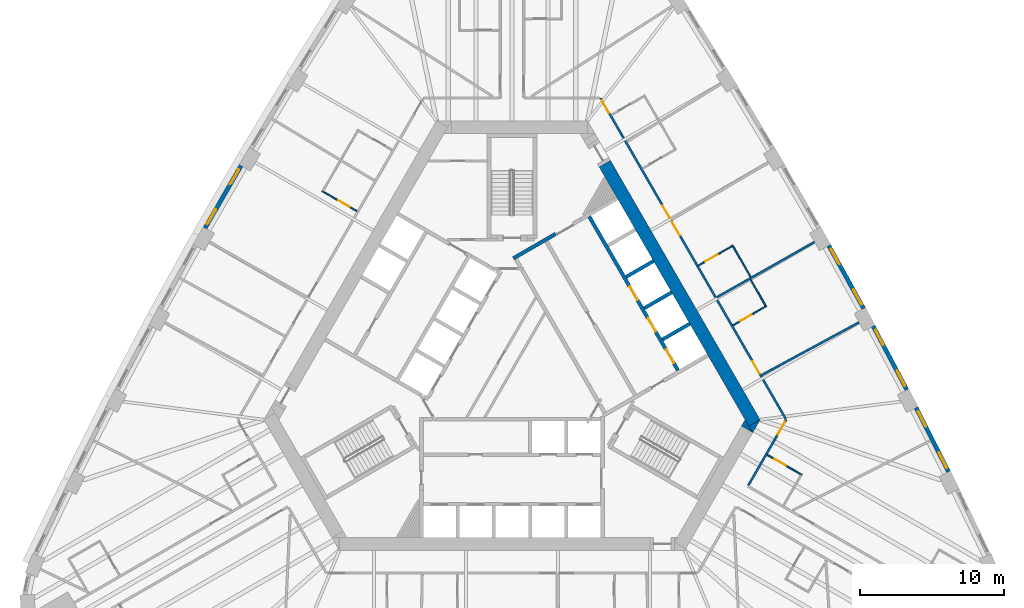
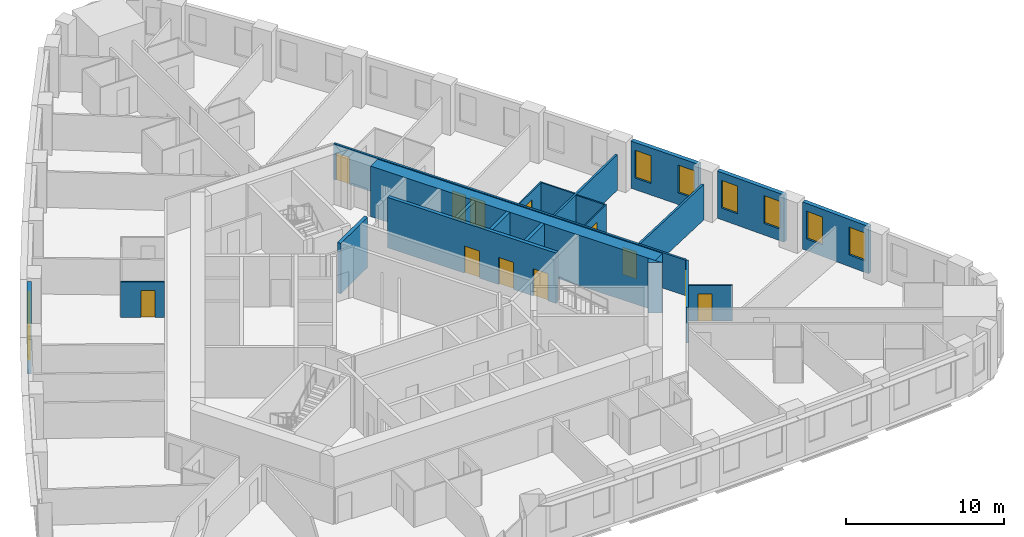
# One storey, part 8 of 12: 22 walls, 12 doors, 8 windows, 20 openings.
"""IFC4 building model written with IfcOpenShell, lengths in metres."""

from ifc_helpers import new_model, si_unit, direction, frame, frame_2d, origin, place, context, subcontext, project, spatial, polyline, rectangle, outline, extrude, material, layer, layer_set, type_object, element, fill, save


model = new_model("IFC4")

# Units and contexts
model_context = context("Model", 3, precision=1e-05, world=origin(), true_north=direction((0.0, 1.0)))
body_context = subcontext(model_context, "Body", "Model", "MODEL_VIEW")
ifc_project = project(units=[si_unit("LENGTHUNIT", "METRE"), si_unit("AREAUNIT", "SQUARE_METRE"), si_unit("VOLUMEUNIT", "CUBIC_METRE"), si_unit("PLANEANGLEUNIT", "RADIAN"), si_unit("MASSUNIT", "GRAM", prefix="KILO")], contexts=[model_context])

# Site, building, storey
site_placement = place(None, origin())
site = spatial("IfcSite", under=ifc_project, at=site_placement, CompositionType="ELEMENT")
building_placement = place(site_placement, origin())
building = spatial("IfcBuilding", under=site, at=building_placement, Name="Mestral Congress Tower", CompositionType="ELEMENT")
storey_placement = place(building_placement, frame((0.0, 0.0, 70.5)))
storey = spatial("IfcBuildingStorey", under=building, at=storey_placement, Name="L16", CompositionType="ELEMENT", Elevation=70.5)

# Walls
ifc_material_1 = material(Name="Concrete C60/75", Category="concrete")
ifc_layer_1 = layer(ifc_material_1, 0.89990234375)
ifc_layer_set_1 = layer_set([ifc_layer_1], Name="Concrete C60/75")
wall_type_1 = type_object("IfcWallType", Name="Core wall RC 900", PredefinedType="SOLIDWALL", material=ifc_layer_set_1)
wall_1_placement = place(storey_placement, frame((6.4609375, 13.9091796875, 0.0), z_axis=(0.0, 0.0, 1.0), x_axis=(0.500005804227, -0.866022052686, 0.0)))
element("IfcWall", 1, at=wall_1_placement, inside=storey, type_object=wall_type_1, Name="L16 core wall", PredefinedType="SOLIDWALL", context=body_context, shape_type="SweptSolid", body=[
    extrude(rectangle(XDim=20.833740234375, YDim=0.89990234375, at=frame_2d((10.4169921875, 0.0))), origin(), (0.0, 0.0, 1.0), 3.89990234375),
])
placement = place(storey_placement, origin())
element("IfcWall", 2, at=placement, inside=storey, type_object=wall_type_1, Name="L16 core wall", PredefinedType="SOLIDWALL", context=body_context, shape_type="SweptSolid", body=[
    extrude(outline(polyline([(16.7431640625, -4.800048828125), (16.4892578125, -4.360107421875), (17.251220703125, -3.920166015625), (16.7431640625, -4.800048828125)])), origin(), (0.0, 0.0, 1.0), 3.89990234375),
])
element("IfcWall", 3, at=placement, inside=storey, type_object=wall_type_1, Name="L16 core wall", PredefinedType="SOLIDWALL", context=body_context, shape_type="SweptSolid", body=[
    extrude(outline(polyline([(16.223388671875, -3.900146484375), (16.731689453125, -4.780029296875), (15.969482421875, -4.340087890625), (16.223388671875, -3.900146484375)])), origin(), (0.0, 0.0, 1.0), 3.89990234375),
])

# Wall, openings, windows
ifc_material_2 = material(Name="Precast concrete C40/50 with limestone facing", Category="masonry")
ifc_layer_2 = layer(ifc_material_2, 0.2900390625)
ifc_layer_set_2 = layer_set([ifc_layer_2], Name="Precast concrete C40/50 with limestone facing")
wall_type_2 = type_object("IfcWallType", Name="Facade stone wall 290", PredefinedType="SOLIDWALL", material=ifc_layer_set_2)
wall_4_placement = place(storey_placement, frame((30.376953125, -7.5205078125, 0.0), z_axis=(0.0, 0.0, 1.0), x_axis=(-0.451233929645, 0.892405704115, 0.0)))
wall_4 = element("IfcWall", 4, at=wall_4_placement, inside=storey, type_object=wall_type_2, Name="Facade wall F1-01", PredefinedType="SOLIDWALL", context=body_context, shape_type="SweptSolid", body=[
    extrude(rectangle(XDim=4.998291015625, YDim=0.2900390625, at=frame_2d((2.4990234375, 0.0))), origin(), (0.0, 0.0, 1.0), 3.64990234375),
])
opening_1_placement = place(wall_4_placement, frame((0.297119140625, 0.0, 0.89990234375)))
opening_1 = element("IfcOpeningElement", 5, at=opening_1_placement, cuts=wall_4, Name="Opening W1", PredefinedType="OPENING", context=body_context, shape_type="SweptSolid", body=[
    extrude(rectangle(XDim=1.199951171875, YDim=2.14990234375, at=frame_2d((0.60009765625, 1.074951171875))), frame((0.0, 0.155029296875, 0.0), z_axis=(0.0, -1.0, 0.0), x_axis=(1.0, 0.0, 0.0)), (0.0, 0.0, 1.0), 0.31005859375),
])
opening_2_placement = place(wall_4_placement, frame((3.501220703125, 0.0, 0.89990234375)))
opening_2 = element("IfcOpeningElement", 6, at=opening_2_placement, cuts=wall_4, Name="Opening W1", PredefinedType="OPENING", context=body_context, shape_type="SweptSolid", body=[
    extrude(rectangle(XDim=1.199951171875, YDim=2.14990234375, at=frame_2d((0.60009765625, 1.074951171875))), frame((0.0, 0.155029296875, 0.0), z_axis=(0.0, -1.0, 0.0), x_axis=(1.0, 0.0, 0.0)), (0.0, 0.0, 1.0), 0.31005859375),
])
ifc_material_3 = material(Name="Clear low-emissivity double glazing", Category="glass")
window_type = type_object("IfcWindowType", Name="Facade punched window 1200 x 2150 sill 900", PartitioningType="DOUBLE_PANEL_VERTICAL", PredefinedType="WINDOW", material=ifc_material_3)
window_1_placement = place(opening_1_placement, origin())
window_1 = element("IfcWindow", 7, at=window_1_placement, inside=storey, type_object=window_type, Name="Window F1-01a", OverallHeight=2.14990234375, OverallWidth=1.199951171875, PartitioningType="DOUBLE_PANEL_VERTICAL", PredefinedType="WINDOW", context=body_context, shape_type="SweptSolid", body=[
    extrude(rectangle(XDim=1.199951171875, YDim=2.14990234375, at=frame_2d((0.60009765625, 1.074951171875))), frame((0.0, 0.01513671875, 0.0), z_axis=(0.0, -1.0, 0.0), x_axis=(1.0, 0.0, 0.0)), (0.0, 0.0, 1.0), 0.06005859375),
])
fill(opening_1, window_1)
window_2_placement = place(opening_2_placement, origin())
window_2 = element("IfcWindow", 8, at=window_2_placement, inside=storey, type_object=window_type, Name="Window F1-01b", OverallHeight=2.14990234375, OverallWidth=1.199951171875, PartitioningType="DOUBLE_PANEL_VERTICAL", PredefinedType="WINDOW", context=body_context, shape_type="SweptSolid", body=[
    extrude(rectangle(XDim=1.199951171875, YDim=2.14990234375, at=frame_2d((0.60009765625, 1.074951171875))), frame((0.0, 0.01513671875, 0.0), z_axis=(0.0, -1.0, 0.0), x_axis=(1.0, 0.0, 0.0)), (0.0, 0.0, 1.0), 0.06005859375),
])
fill(opening_2, window_2)

wall_5_placement = place(storey_placement, frame((27.47509765625, -1.810302734375, 0.0), z_axis=(0.0, 0.0, 1.0), x_axis=(-0.467629620899, 0.883924509026, 0.0)))
wall_5 = element("IfcWall", 9, at=wall_5_placement, inside=storey, type_object=wall_type_2, Name="Facade wall F1-02", PredefinedType="SOLIDWALL", context=body_context, shape_type="SweptSolid", body=[
    extrude(rectangle(XDim=4.998291015625, YDim=0.2900390625, at=frame_2d((2.4990234375, 0.0))), origin(), (0.0, 0.0, 1.0), 3.64990234375),
])
opening_3_placement = place(wall_5_placement, frame((0.297119140625, 0.0, 0.89990234375)))
opening_3 = element("IfcOpeningElement", 10, at=opening_3_placement, cuts=wall_5, Name="Opening W1", PredefinedType="OPENING", context=body_context, shape_type="SweptSolid", body=[
    extrude(rectangle(XDim=1.199951171875, YDim=2.14990234375, at=frame_2d((0.60009765625, 1.074951171875))), frame((0.0, 0.155029296875, 0.0), z_axis=(0.0, -1.0, 0.0), x_axis=(1.0, 0.0, 0.0)), (0.0, 0.0, 1.0), 0.31005859375),
])
opening_4_placement = place(wall_5_placement, frame((3.501220703125, 0.0, 0.89990234375)))
opening_4 = element("IfcOpeningElement", 11, at=opening_4_placement, cuts=wall_5, Name="Opening W1", PredefinedType="OPENING", context=body_context, shape_type="SweptSolid", body=[
    extrude(rectangle(XDim=1.199951171875, YDim=2.14990234375, at=frame_2d((0.60009765625, 1.074951171875))), frame((0.0, 0.155029296875, 0.0), z_axis=(0.0, -1.0, 0.0), x_axis=(1.0, 0.0, 0.0)), (0.0, 0.0, 1.0), 0.31005859375),
])
window_3_placement = place(opening_3_placement, origin())
window_3 = element("IfcWindow", 12, at=window_3_placement, inside=storey, type_object=window_type, Name="Window F1-02a", OverallHeight=2.14990234375, OverallWidth=1.199951171875, PartitioningType="DOUBLE_PANEL_VERTICAL", PredefinedType="WINDOW", context=body_context, shape_type="SweptSolid", body=[
    extrude(rectangle(XDim=1.199951171875, YDim=2.14990234375, at=frame_2d((0.60009765625, 1.074951171875))), frame((0.0, 0.01513671875, 0.0), z_axis=(0.0, -1.0, 0.0), x_axis=(1.0, 0.0, 0.0)), (0.0, 0.0, 1.0), 0.06005859375),
])
fill(opening_3, window_3)
window_4_placement = place(opening_4_placement, origin())
window_4 = element("IfcWindow", 13, at=window_4_placement, inside=storey, type_object=window_type, Name="Window F1-02b", OverallHeight=2.14990234375, OverallWidth=1.199951171875, PartitioningType="DOUBLE_PANEL_VERTICAL", PredefinedType="WINDOW", context=body_context, shape_type="SweptSolid", body=[
    extrude(rectangle(XDim=1.199951171875, YDim=2.14990234375, at=frame_2d((0.60009765625, 1.074951171875))), frame((0.0, 0.01513671875, 0.0), z_axis=(0.0, -1.0, 0.0), x_axis=(1.0, 0.0, 0.0)), (0.0, 0.0, 1.0), 0.06005859375),
])
fill(opening_4, window_4)

wall_6_placement = place(storey_placement, frame((24.46826171875, 3.845703125, 0.0), z_axis=(0.0, 0.0, 1.0), x_axis=(-0.483912572871, 0.875116347589, 0.0)))
wall_6 = element("IfcWall", 14, at=wall_6_placement, inside=storey, type_object=wall_type_2, Name="Facade wall F1-03", PredefinedType="SOLIDWALL", context=body_context, shape_type="SweptSolid", body=[
    extrude(rectangle(XDim=4.998291015625, YDim=0.2900390625, at=frame_2d((2.4990234375, 0.0))), origin(), (0.0, 0.0, 1.0), 3.64990234375),
])
opening_5_placement = place(wall_6_placement, frame((0.297119140625, 0.0, 0.89990234375)))
opening_5 = element("IfcOpeningElement", 15, at=opening_5_placement, cuts=wall_6, Name="Opening W1", PredefinedType="OPENING", context=body_context, shape_type="SweptSolid", body=[
    extrude(rectangle(XDim=1.199951171875, YDim=2.14990234375, at=frame_2d((0.60009765625, 1.074951171875))), frame((0.0, 0.155029296875, 0.0), z_axis=(0.0, -1.0, 0.0), x_axis=(1.0, 0.0, 0.0)), (0.0, 0.0, 1.0), 0.31005859375),
])
opening_6_placement = place(wall_6_placement, frame((3.501220703125, 0.0, 0.89990234375)))
opening_6 = element("IfcOpeningElement", 16, at=opening_6_placement, cuts=wall_6, Name="Opening W1", PredefinedType="OPENING", context=body_context, shape_type="SweptSolid", body=[
    extrude(rectangle(XDim=1.199951171875, YDim=2.14990234375, at=frame_2d((0.60009765625, 1.074951171875))), frame((0.0, 0.155029296875, 0.0), z_axis=(0.0, -1.0, 0.0), x_axis=(1.0, 0.0, 0.0)), (0.0, 0.0, 1.0), 0.31005859375),
])
window_5_placement = place(opening_5_placement, origin())
window_5 = element("IfcWindow", 17, at=window_5_placement, inside=storey, type_object=window_type, Name="Window F1-03a", OverallHeight=2.14990234375, OverallWidth=1.199951171875, PartitioningType="DOUBLE_PANEL_VERTICAL", PredefinedType="WINDOW", context=body_context, shape_type="SweptSolid", body=[
    extrude(rectangle(XDim=1.199951171875, YDim=2.14990234375, at=frame_2d((0.60009765625, 1.074951171875))), frame((0.0, 0.01513671875, 0.0), z_axis=(0.0, -1.0, 0.0), x_axis=(1.0, 0.0, 0.0)), (0.0, 0.0, 1.0), 0.06005859375),
])
fill(opening_5, window_5)
window_6_placement = place(opening_6_placement, origin())
window_6 = element("IfcWindow", 18, at=window_6_placement, inside=storey, type_object=window_type, Name="Window F1-03b", OverallHeight=2.14990234375, OverallWidth=1.199951171875, PartitioningType="DOUBLE_PANEL_VERTICAL", PredefinedType="WINDOW", context=body_context, shape_type="SweptSolid", body=[
    extrude(rectangle(XDim=1.199951171875, YDim=2.14990234375, at=frame_2d((0.60009765625, 1.074951171875))), frame((0.0, 0.01513671875, 0.0), z_axis=(0.0, -1.0, 0.0), x_axis=(1.0, 0.0, 0.0)), (0.0, 0.0, 1.0), 0.06005859375),
])
fill(opening_6, window_6)

wall_7_placement = place(storey_placement, frame((-18.85791015625, 13.7734375, 0.0), z_axis=(0.0, 0.0, 1.0), x_axis=(-0.50002123722, -0.866013142123, 0.0)))
wall_7 = element("IfcWall", 19, at=wall_7_placement, inside=storey, type_object=wall_type_2, Name="Facade wall F2-04", PredefinedType="SOLIDWALL", context=body_context, shape_type="SweptSolid", body=[
    extrude(rectangle(XDim=4.998291015625, YDim=0.2900390625, at=frame_2d((2.4990234375, 0.0))), origin(), (0.0, 0.0, 1.0), 3.64990234375),
])
opening_7_placement = place(wall_7_placement, frame((0.297119140625, 0.0, 0.89990234375)))
opening_7 = element("IfcOpeningElement", 20, at=opening_7_placement, cuts=wall_7, Name="Opening W1", PredefinedType="OPENING", context=body_context, shape_type="SweptSolid", body=[
    extrude(rectangle(XDim=1.199951171875, YDim=2.14990234375, at=frame_2d((0.60009765625, 1.074951171875))), frame((0.0, 0.155029296875, 0.0), z_axis=(0.0, -1.0, 0.0), x_axis=(1.0, 0.0, 0.0)), (0.0, 0.0, 1.0), 0.31005859375),
])
opening_8_placement = place(wall_7_placement, frame((3.501220703125, 0.0, 0.89990234375)))
opening_8 = element("IfcOpeningElement", 21, at=opening_8_placement, cuts=wall_7, Name="Opening W1", PredefinedType="OPENING", context=body_context, shape_type="SweptSolid", body=[
    extrude(rectangle(XDim=1.199951171875, YDim=2.14990234375, at=frame_2d((0.60009765625, 1.074951171875))), frame((0.0, 0.155029296875, 0.0), z_axis=(0.0, -1.0, 0.0), x_axis=(1.0, 0.0, 0.0)), (0.0, 0.0, 1.0), 0.31005859375),
])
window_7_placement = place(opening_7_placement, origin())
window_7 = element("IfcWindow", 22, at=window_7_placement, inside=storey, type_object=window_type, Name="Window F2-04a", OverallHeight=2.14990234375, OverallWidth=1.199951171875, PartitioningType="DOUBLE_PANEL_VERTICAL", PredefinedType="WINDOW", context=body_context, shape_type="SweptSolid", body=[
    extrude(rectangle(XDim=1.199951171875, YDim=2.14990234375, at=frame_2d((0.60009765625, 1.074951171875))), frame((0.0, 0.01513671875, 0.0), z_axis=(0.0, -1.0, 0.0), x_axis=(1.0, 0.0, 0.0)), (0.0, 0.0, 1.0), 0.06005859375),
])
fill(opening_7, window_7)
window_8_placement = place(opening_8_placement, origin())
window_8 = element("IfcWindow", 23, at=window_8_placement, inside=storey, type_object=window_type, Name="Window F2-04b", OverallHeight=2.14990234375, OverallWidth=1.199951171875, PartitioningType="DOUBLE_PANEL_VERTICAL", PredefinedType="WINDOW", context=body_context, shape_type="SweptSolid", body=[
    extrude(rectangle(XDim=1.199951171875, YDim=2.14990234375, at=frame_2d((0.60009765625, 1.074951171875))), frame((0.0, 0.01513671875, 0.0), z_axis=(0.0, -1.0, 0.0), x_axis=(1.0, 0.0, 0.0)), (0.0, 0.0, 1.0), 0.06005859375),
])
fill(opening_8, window_8)

# Wall, opening, door
ifc_material_4 = material(Name="Gypsum board partition on metal studs with mineral wool", Category="composite")
ifc_layer_3 = layer(ifc_material_4, 0.10009765625)
ifc_layer_set_3 = layer_set([ifc_layer_3], Name="Gypsum board partition on metal studs with mineral wool")
wall_type_3 = type_object("IfcWallType", Name="Hotel partition wall 100", PredefinedType="PARTITIONING", material=ifc_layer_set_3)
wall_8_placement = place(storey_placement, frame((20.18212890625, -7.743408203125, 0.0), z_axis=(0.0, 0.0, 1.0), x_axis=(-0.866034573852, 0.49998411664, 0.0)))
wall_8 = element("IfcWall", 24, at=wall_8_placement, inside=storey, type_object=wall_type_3, Name="L16-h-pod09a", PredefinedType="PARTITIONING", context=body_context, shape_type="SweptSolid", body=[
    extrude(rectangle(XDim=2.7998046875, YDim=0.10009765625, at=frame_2d((1.39990234375, 0.0))), origin(), (0.0, 0.0, 1.0), 2.75),
])
opening_9_placement = place(wall_8_placement, frame((1.300048828125, 0.0, 0.0)))
opening_9 = element("IfcOpeningElement", 25, at=opening_9_placement, cuts=wall_8, Name="Opening H04-018", PredefinedType="OPENING", context=body_context, shape_type="SweptSolid", body=[
    extrude(rectangle(XDim=0.89990234375, YDim=2.10009765625, at=frame_2d((0.449951171875, 1.050048828125))), frame((0.0, 0.06005859375, 0.0), z_axis=(0.0, -1.0, 0.0), x_axis=(1.0, 0.0, 0.0)), (0.0, 0.0, 1.0), 0.1201171875),
])
ifc_material_5 = material(Name="Timber veneer door leaf in timber frame", Category="wood")
door_type_1 = type_object("IfcDoorType", Name="Bathroom door 900", OperationType="SINGLE_SWING_LEFT", PredefinedType="DOOR", material=ifc_material_5)
door_1_placement = place(opening_9_placement, origin())
door_1 = element("IfcDoor", 26, at=door_1_placement, inside=storey, type_object=door_type_1, Name="L16-h-d018", OperationType="SINGLE_SWING_RIGHT", OverallHeight=2.10009765625, OverallWidth=0.89990234375, PredefinedType="DOOR", context=body_context, shape_type="SweptSolid", body=[
    extrude(rectangle(XDim=0.89990234375, YDim=2.10009765625, at=frame_2d((0.449951171875, 1.050048828125))), frame((0.0, 0.02490234375, 0.0), z_axis=(0.0, -1.0, 0.0), x_axis=(1.0, 0.0, 0.0)), (0.0, 0.0, 1.0), 0.050048828125),
])
fill(opening_9, door_1)

wall_9_placement = place(storey_placement, frame((15.376220703125, 2.66796875, 0.0), z_axis=(0.0, 0.0, 1.0), x_axis=(0.866036505625, 0.499980770555, 0.0)))
wall_9 = element("IfcWall", 27, at=wall_9_placement, inside=storey, type_object=wall_type_3, Name="L16-h-pod10a", PredefinedType="PARTITIONING", context=body_context, shape_type="SweptSolid", body=[
    extrude(rectangle(XDim=2.69970703125, YDim=0.10009765625, at=frame_2d((1.349853515625, 0.0))), origin(), (0.0, 0.0, 1.0), 2.75),
])
opening_10_placement = place(wall_9_placement, frame((0.60009765625, 0.0, 0.0)))
opening_10 = element("IfcOpeningElement", 28, at=opening_10_placement, cuts=wall_9, Name="Opening H04-020", PredefinedType="OPENING", context=body_context, shape_type="SweptSolid", body=[
    extrude(rectangle(XDim=0.89990234375, YDim=2.10009765625, at=frame_2d((0.449951171875, 1.050048828125))), frame((0.0, 0.06005859375, 0.0), z_axis=(0.0, -1.0, 0.0), x_axis=(1.0, 0.0, 0.0)), (0.0, 0.0, 1.0), 0.1201171875),
])
door_2_placement = place(opening_10_placement, origin())
door_2 = element("IfcDoor", 29, at=door_2_placement, inside=storey, type_object=door_type_1, Name="L16-h-d020", OperationType="SINGLE_SWING_LEFT", OverallHeight=2.10009765625, OverallWidth=0.89990234375, PredefinedType="DOOR", context=body_context, shape_type="SweptSolid", body=[
    extrude(rectangle(XDim=0.89990234375, YDim=2.10009765625, at=frame_2d((0.449951171875, 1.050048828125))), frame((0.0, 0.02490234375, 0.0), z_axis=(0.0, -1.0, 0.0), x_axis=(1.0, 0.0, 0.0)), (0.0, 0.0, 1.0), 0.050048828125),
])
fill(opening_10, door_2)

# Wall
wall_10_placement = place(storey_placement, frame((17.64599609375, 4.0361328125, 0.0), z_axis=(0.0, 0.0, 1.0), x_axis=(-0.500027713859, 0.866009402589, 0.0)))
element("IfcWall", 30, at=wall_10_placement, inside=storey, type_object=wall_type_3, Name="L16-h-pod10b", PredefinedType="PARTITIONING", context=body_context, shape_type="SweptSolid", body=[
    extrude(rectangle(XDim=2.10009765625, YDim=0.10009765625, at=frame_2d((1.050048828125, 0.0))), origin(), (0.0, 0.0, 1.0), 2.75),
])

# Wall, opening, door
wall_11_placement = place(storey_placement, frame((15.3974609375, 8.23095703125, 0.0), z_axis=(0.0, 0.0, 1.0), x_axis=(-0.866018616679, -0.500011755427, 0.0)))
wall_11 = element("IfcWall", 31, at=wall_11_placement, inside=storey, type_object=wall_type_3, Name="L16-h-pod11a", PredefinedType="PARTITIONING", context=body_context, shape_type="SweptSolid", body=[
    extrude(rectangle(XDim=2.80029296875, YDim=0.10009765625, at=frame_2d((1.400146484375, 0.0))), origin(), (0.0, 0.0, 1.0), 2.75),
])
opening_11_placement = place(wall_11_placement, frame((1.25, 0.0, 0.0)))
opening_11 = element("IfcOpeningElement", 32, at=opening_11_placement, cuts=wall_11, Name="Opening H04-022", PredefinedType="OPENING", context=body_context, shape_type="SweptSolid", body=[
    extrude(rectangle(XDim=1.0, YDim=2.10009765625, at=frame_2d((0.5, 1.050048828125))), frame((0.0, 0.06005859375, 0.0), z_axis=(0.0, -1.0, 0.0), x_axis=(1.0, 0.0, 0.0)), (0.0, 0.0, 1.0), 0.1201171875),
])
door_type_2 = type_object("IfcDoorType", Name="Accessible bathroom door 1000", OperationType="SINGLE_SWING_LEFT", PredefinedType="DOOR", material=ifc_material_5)
door_3_placement = place(opening_11_placement, origin())
door_3 = element("IfcDoor", 33, at=door_3_placement, inside=storey, type_object=door_type_2, Name="L16-h-d022", OperationType="SINGLE_SWING_LEFT", OverallHeight=2.10009765625, OverallWidth=1.0, PredefinedType="DOOR", context=body_context, shape_type="SweptSolid", body=[
    extrude(rectangle(XDim=1.0, YDim=2.10009765625, at=frame_2d((0.5, 1.050048828125))), frame((0.0, 0.02490234375, 0.0), z_axis=(0.0, -1.0, 0.0), x_axis=(1.0, 0.0, 0.0)), (0.0, 0.0, 1.0), 0.050048828125),
])
fill(opening_11, door_3)

# Wall
wall_12_placement = place(storey_placement, frame((15.379150390625, 8.16259765625, 0.0), z_axis=(0.0, 0.0, 1.0), x_axis=(0.499987006516, -0.866032905446, 0.0)))
element("IfcWall", 34, at=wall_12_placement, inside=storey, type_object=wall_type_3, Name="L16-h-pod11b", PredefinedType="PARTITIONING", context=body_context, shape_type="SweptSolid", body=[
    extrude(rectangle(XDim=2.44970703125, YDim=0.10009765625, at=frame_2d((1.224853515625, 0.0))), origin(), (0.0, 0.0, 1.0), 2.75),
])

# Wall, opening, door
wall_13_placement = place(storey_placement, frame((-13.215087890625, 12.0107421875, 0.0), z_axis=(0.0, 0.0, 1.0), x_axis=(0.865996816683, -0.500049511043, 0.0)))
wall_13 = element("IfcWall", 35, at=wall_13_placement, inside=storey, type_object=wall_type_3, Name="L16-h-pod19a", PredefinedType="PARTITIONING", context=body_context, shape_type="SweptSolid", body=[
    extrude(rectangle(XDim=2.800048828125, YDim=0.10009765625, at=frame_2d((1.39990234375, 0.0))), origin(), (0.0, 0.0, 1.0), 2.75),
])
opening_12_placement = place(wall_13_placement, frame((1.300048828125, 0.0, 0.0)))
opening_12 = element("IfcOpeningElement", 36, at=opening_12_placement, cuts=wall_13, Name="Opening H04-038", PredefinedType="OPENING", context=body_context, shape_type="SweptSolid", body=[
    extrude(rectangle(XDim=0.89990234375, YDim=2.10009765625, at=frame_2d((0.449951171875, 1.050048828125))), frame((0.0, 0.06005859375, 0.0), z_axis=(0.0, -1.0, 0.0), x_axis=(1.0, 0.0, 0.0)), (0.0, 0.0, 1.0), 0.1201171875),
])
door_4_placement = place(opening_12_placement, origin())
door_4 = element("IfcDoor", 37, at=door_4_placement, inside=storey, type_object=door_type_1, Name="L16-h-d038", OperationType="SINGLE_SWING_LEFT", OverallHeight=2.10009765625, OverallWidth=0.89990234375, PredefinedType="DOOR", context=body_context, shape_type="SweptSolid", body=[
    extrude(rectangle(XDim=0.89990234375, YDim=2.10009765625, at=frame_2d((0.449951171875, 1.050048828125))), frame((0.0, 0.02490234375, 0.0), z_axis=(0.0, -1.0, 0.0), x_axis=(1.0, 0.0, 0.0)), (0.0, 0.0, 1.0), 0.050048828125),
])
fill(opening_12, door_4)

ifc_layer_4 = layer(ifc_material_4, 0.14990234375)
ifc_layer_set_4 = layer_set([ifc_layer_4], Name="Gypsum board partition on metal studs with mineral wool")
wall_type_4 = type_object("IfcWallType", Name="Hotel partition wall 150", PredefinedType="PARTITIONING", material=ifc_layer_set_4)
wall_14_placement = place(storey_placement, frame((19.081298828125, -3.89990234375, 0.0), z_axis=(0.0, 0.0, 1.0), x_axis=(-0.499974327079, -0.866040225545, 0.0)))
wall_14 = element("IfcWall", 38, at=wall_14_placement, inside=storey, type_object=wall_type_4, Name="L16-h-cw02", PredefinedType="PARTITIONING", context=body_context, shape_type="SweptSolid", body=[
    extrude(rectangle(XDim=5.258056640625, YDim=0.14990234375, at=frame_2d((2.62890625, 0.0))), origin(), (0.0, 0.0, 1.0), 2.75),
])
opening_13_placement = place(wall_14_placement, frame((0.179931640625, 0.0, 0.0)))
opening_13 = element("IfcOpeningElement", 39, at=opening_13_placement, cuts=wall_14, Name="Opening H04-017", PredefinedType="OPENING", context=body_context, shape_type="SweptSolid", body=[
    extrude(rectangle(XDim=1.0, YDim=2.10009765625, at=frame_2d((0.5, 1.050048828125))), frame((0.0, 0.0849609375, 0.0), z_axis=(0.0, -1.0, 0.0), x_axis=(1.0, 0.0, 0.0)), (0.0, 0.0, 1.0), 0.169921875),
])
ifc_material_6 = material(Name="Timber veneer door leaf in metal frame", Category="wood")
door_type_3 = type_object("IfcDoorType", Name="Guest room entrance door 1000", OperationType="SINGLE_SWING_LEFT", PredefinedType="DOOR", material=ifc_material_6)
door_5_placement = place(opening_13_placement, origin())
door_5 = element("IfcDoor", 40, at=door_5_placement, inside=storey, type_object=door_type_3, Name="L16-h-d017", OperationType="SINGLE_SWING_LEFT", OverallHeight=2.10009765625, OverallWidth=1.0, PredefinedType="DOOR", context=body_context, shape_type="SweptSolid", body=[
    extrude(rectangle(XDim=1.0, YDim=2.10009765625, at=frame_2d((0.5, 1.050048828125))), frame((0.0, 0.02490234375, 0.0), z_axis=(0.0, -1.0, 0.0), x_axis=(1.0, 0.0, 0.0)), (0.0, 0.0, 1.0), 0.050048828125),
])
fill(opening_13, door_5)

# Wall, openings, doors
wall_15_placement = place(storey_placement, frame((6.1630859375, 18.47509765625, 0.0), z_axis=(0.0, 0.0, 1.0), x_axis=(0.500001317485, -0.866024643133, 0.0)))
wall_15 = element("IfcWall", 41, at=wall_15_placement, inside=storey, type_object=wall_type_4, Name="L16-h-cw03", PredefinedType="PARTITIONING", context=body_context, shape_type="SweptSolid", body=[
    extrude(rectangle(XDim=25.7666015625, YDim=0.14990234375, at=frame_2d((12.88330078125, 0.0))), origin(), (0.0, 0.0, 1.0), 2.75),
])
opening_14_placement = place(wall_15_placement, frame((21.13818359375, 0.0, 0.0)))
opening_14 = element("IfcOpeningElement", 42, at=opening_14_placement, cuts=wall_15, Name="Opening H04-019", PredefinedType="OPENING", context=body_context, shape_type="SweptSolid", body=[
    extrude(rectangle(XDim=1.0, YDim=2.10009765625, at=frame_2d((0.5, 1.050048828125))), frame((0.0, 0.0849609375, 0.0), z_axis=(0.0, -1.0, 0.0), x_axis=(1.0, 0.0, 0.0)), (0.0, 0.0, 1.0), 0.169921875),
])
opening_15_placement = place(wall_15_placement, frame((9.94775390625, 0.0, 0.0)))
opening_15 = element("IfcOpeningElement", 43, at=opening_15_placement, cuts=wall_15, Name="Opening H04-021", PredefinedType="OPENING", context=body_context, shape_type="SweptSolid", body=[
    extrude(rectangle(XDim=1.10009765625, YDim=2.10009765625, at=frame_2d((0.550048828125, 1.050048828125))), frame((0.0, 0.0849609375, 0.0), z_axis=(0.0, -1.0, 0.0), x_axis=(1.0, 0.0, 0.0)), (0.0, 0.0, 1.0), 0.169921875),
])
opening_16_placement = place(wall_15_placement, frame((8.640625, 0.0, 0.0)))
opening_16 = element("IfcOpeningElement", 44, at=opening_16_placement, cuts=wall_15, Name="Opening H04-023", PredefinedType="OPENING", context=body_context, shape_type="SweptSolid", body=[
    extrude(rectangle(XDim=1.0, YDim=2.10009765625, at=frame_2d((0.5, 1.050048828125))), frame((0.0, 0.0849609375, 0.0), z_axis=(0.0, -1.0, 0.0), x_axis=(1.0, 0.0, 0.0)), (0.0, 0.0, 1.0), 0.169921875),
])
opening_17_placement = place(wall_15_placement, frame((0.179931640625, 0.0, 0.0)))
opening_17 = element("IfcOpeningElement", 45, at=opening_17_placement, cuts=wall_15, Name="Opening H04-025", PredefinedType="OPENING", context=body_context, shape_type="SweptSolid", body=[
    extrude(rectangle(XDim=1.0, YDim=2.10009765625, at=frame_2d((0.5, 1.050048828125))), frame((0.0, 0.0849609375, 0.0), z_axis=(0.0, -1.0, 0.0), x_axis=(1.0, 0.0, 0.0)), (0.0, 0.0, 1.0), 0.169921875),
])
door_type_4 = type_object("IfcDoorType", Name="Accessible room entrance door 1100", OperationType="SINGLE_SWING_LEFT", PredefinedType="DOOR", material=ifc_material_6)
door_6_placement = place(opening_15_placement, origin())
door_6 = element("IfcDoor", 46, at=door_6_placement, inside=storey, type_object=door_type_4, Name="L16-h-d021", OperationType="SINGLE_SWING_LEFT", OverallHeight=2.10009765625, OverallWidth=1.10009765625, PredefinedType="DOOR", context=body_context, shape_type="SweptSolid", body=[
    extrude(rectangle(XDim=1.10009765625, YDim=2.10009765625, at=frame_2d((0.550048828125, 1.050048828125))), frame((0.0, 0.02490234375, 0.0), z_axis=(0.0, -1.0, 0.0), x_axis=(1.0, 0.0, 0.0)), (0.0, 0.0, 1.0), 0.050048828125),
])
fill(opening_15, door_6)
door_7_placement = place(opening_14_placement, origin())
door_7 = element("IfcDoor", 47, at=door_7_placement, inside=storey, type_object=door_type_3, Name="L16-h-d019", OperationType="SINGLE_SWING_RIGHT", OverallHeight=2.10009765625, OverallWidth=1.0, PredefinedType="DOOR", context=body_context, shape_type="SweptSolid", body=[
    extrude(rectangle(XDim=1.0, YDim=2.10009765625, at=frame_2d((0.5, 1.050048828125))), frame((0.0, 0.02490234375, 0.0), z_axis=(0.0, -1.0, 0.0), x_axis=(1.0, 0.0, 0.0)), (0.0, 0.0, 1.0), 0.050048828125),
])
fill(opening_14, door_7)
door_8_placement = place(opening_16_placement, origin())
door_8 = element("IfcDoor", 48, at=door_8_placement, inside=storey, type_object=door_type_3, Name="L16-h-d023", OperationType="SINGLE_SWING_RIGHT", OverallHeight=2.10009765625, OverallWidth=1.0, PredefinedType="DOOR", context=body_context, shape_type="SweptSolid", body=[
    extrude(rectangle(XDim=1.0, YDim=2.10009765625, at=frame_2d((0.5, 1.050048828125))), frame((0.0, 0.02490234375, 0.0), z_axis=(0.0, -1.0, 0.0), x_axis=(1.0, 0.0, 0.0)), (0.0, 0.0, 1.0), 0.050048828125),
])
fill(opening_16, door_8)
door_9_placement = place(opening_17_placement, origin())
door_9 = element("IfcDoor", 49, at=door_9_placement, inside=storey, type_object=door_type_3, Name="L16-h-d025", OperationType="SINGLE_SWING_LEFT", OverallHeight=2.10009765625, OverallWidth=1.0, PredefinedType="DOOR", context=body_context, shape_type="SweptSolid", body=[
    extrude(rectangle(XDim=1.0, YDim=2.10009765625, at=frame_2d((0.5, 1.050048828125))), frame((0.0, 0.02490234375, 0.0), z_axis=(0.0, -1.0, 0.0), x_axis=(1.0, 0.0, 0.0)), (0.0, 0.0, 1.0), 0.050048828125),
])
fill(opening_17, door_9)

# Walls
wall_16_placement = place(storey_placement, frame((21.051513671875, 8.464111328125, 0.0), z_axis=(0.0, 0.0, 1.0), x_axis=(-0.87059371954, -0.492002617368, 0.0)))
element("IfcWall", 50, at=wall_16_placement, inside=storey, type_object=wall_type_4, Name="L16-h-pw19", PredefinedType="PARTITIONING", context=body_context, shape_type="SweptSolid", body=[
    extrude(rectangle(XDim=7.803466796875, YDim=0.14990234375, at=frame_2d((3.90185546875, 0.0))), origin(), (0.0, 0.0, 1.0), 2.75),
])
wall_17_placement = place(storey_placement, frame((24.14453125, 2.87060546875, 0.0), z_axis=(0.0, 0.0, 1.0), x_axis=(-0.879551725039, -0.475803281809, 0.0)))
element("IfcWall", 51, at=wall_17_placement, inside=storey, type_object=wall_type_4, Name="L16-h-pw21", PredefinedType="PARTITIONING", context=body_context, shape_type="SweptSolid", body=[
    extrude(rectangle(XDim=7.68798828125, YDim=0.14990234375, at=frame_2d((3.843994140625, 0.0))), origin(), (0.0, 0.0, 1.0), 2.75),
])
ifc_layer_5 = layer(ifc_material_1, 0.25)
ifc_layer_set_5 = layer_set([ifc_layer_5], Name="Concrete C60/75")
wall_type_5 = type_object("IfcWallType", Name="Shaft wall RC 250", PredefinedType="SOLIDWALL", material=ifc_layer_set_5)
for number, where, z_axis, x_axis, name in (
    (52, (10.463623046875, 1.676513671875, 0.0), (0.0, 0.0, 1.0), (0.86605622881, 0.499946605688, 0.0), "L16 core wall"),
    (53, (9.20361328125, 3.85888671875, 0.0), (0.0, 0.0, 1.0), (0.86605622881, 0.499946605688, 0.0), "L16 core wall"),
    (54, (7.943603515625, 6.041259765625, 0.0), (0.0, 0.0, 1.0), (0.86605622881, 0.499946605688, 0.0), "L16 core wall"),
):
    element("IfcWall", number, at=place(storey_placement, frame(where, z_axis=z_axis, x_axis=x_axis)), inside=storey, type_object=wall_type_5, Name=name, PredefinedType="SOLIDWALL", context=body_context, shape_type="SweptSolid", body=[
        extrude(rectangle(XDim=2.199951171875, YDim=0.25, at=frame_2d((1.10009765625, 0.0))), origin(), (0.0, 0.0, 1.0), 3.89990234375),
    ])
wall_18_placement = place(storey_placement, frame((0.09765625, 7.330810546875, 0.0), z_axis=(0.0, 0.0, 1.0), x_axis=(0.865988154826, 0.50006451154, 0.0)))
element("IfcWall", 55, at=wall_18_placement, inside=storey, type_object=wall_type_5, Name="L16 core wall", PredefinedType="SOLIDWALL", context=body_context, shape_type="SweptSolid", body=[
    extrude(rectangle(XDim=3.39794921875, YDim=0.25, at=frame_2d((1.698974609375, 0.0))), origin(), (0.0, 0.0, 1.0), 3.89990234375),
])

# Wall, openings, doors
wall_19_placement = place(storey_placement, frame((11.552978515625, -0.460205078125, 0.0), z_axis=(0.0, 0.0, 1.0), x_axis=(-0.500006514828, 0.866021642414, 0.0)))
wall_19 = element("IfcWall", 56, at=wall_19_placement, inside=storey, type_object=wall_type_5, Name="L16 door wall", PredefinedType="SOLIDWALL", context=body_context, shape_type="SweptSolid", body=[
    extrude(rectangle(XDim=12.349853515625, YDim=0.25, at=frame_2d((6.1748046875, 0.0))), origin(), (0.0, 0.0, 1.0), 3.89990234375),
])
opening_18_placement = place(wall_19_placement, frame((0.5849609375, 0.0, 0.0)))
opening_18 = element("IfcOpeningElement", 57, at=opening_18_placement, cuts=wall_19, Name="Opening LD-NEA1", PredefinedType="OPENING", context=body_context, shape_type="SweptSolid", body=[
    extrude(rectangle(XDim=1.10009765625, YDim=2.10009765625, at=frame_2d((0.550048828125, 1.050048828125))), frame((0.0, 0.135009765625, 0.0), z_axis=(0.0, -1.0, 0.0), x_axis=(1.0, 0.0, 0.0)), (0.0, 0.0, 1.0), 0.27001953125),
])
opening_19_placement = place(wall_19_placement, frame((3.10498046875, 0.0, 0.0)))
opening_19 = element("IfcOpeningElement", 58, at=opening_19_placement, cuts=wall_19, Name="Opening LD-NEA2", PredefinedType="OPENING", context=body_context, shape_type="SweptSolid", body=[
    extrude(rectangle(XDim=1.10009765625, YDim=2.10009765625, at=frame_2d((0.550048828125, 1.050048828125))), frame((0.0, 0.135009765625, 0.0), z_axis=(0.0, -1.0, 0.0), x_axis=(1.0, 0.0, 0.0)), (0.0, 0.0, 1.0), 0.27001953125),
])
opening_20_placement = place(wall_19_placement, frame((5.625, 0.0, 0.0)))
opening_20 = element("IfcOpeningElement", 59, at=opening_20_placement, cuts=wall_19, Name="Opening LD-NEA3", PredefinedType="OPENING", context=body_context, shape_type="SweptSolid", body=[
    extrude(rectangle(XDim=1.10009765625, YDim=2.10009765625, at=frame_2d((0.550048828125, 1.050048828125))), frame((0.0, 0.135009765625, 0.0), z_axis=(0.0, -1.0, 0.0), x_axis=(1.0, 0.0, 0.0)), (0.0, 0.0, 1.0), 0.27001953125),
])
ifc_material_7 = material(Name="Fire-rated steel door set", Category="steel")
door_type_5 = type_object("IfcDoorType", Name="Core door LD 1100x2100", OperationType="DOUBLE_DOOR_SLIDING", PredefinedType="DOOR", material=ifc_material_7)
door_10_placement = place(opening_18_placement, origin())
door_10 = element("IfcDoor", 60, at=door_10_placement, inside=storey, type_object=door_type_5, Name="Door LD-NEA1", OperationType="DOUBLE_DOOR_SLIDING", OverallHeight=2.10009765625, OverallWidth=1.10009765625, PredefinedType="DOOR", context=body_context, shape_type="SweptSolid", body=[
    extrude(rectangle(XDim=1.10009765625, YDim=2.10009765625, at=frame_2d((0.550048828125, 1.050048828125))), frame((0.0, 0.02490234375, 0.0), z_axis=(0.0, -1.0, 0.0), x_axis=(1.0, 0.0, 0.0)), (0.0, 0.0, 1.0), 0.050048828125),
])
fill(opening_18, door_10)
door_11_placement = place(opening_19_placement, origin())
door_11 = element("IfcDoor", 61, at=door_11_placement, inside=storey, type_object=door_type_5, Name="Door LD-NEA2", OperationType="DOUBLE_DOOR_SLIDING", OverallHeight=2.10009765625, OverallWidth=1.10009765625, PredefinedType="DOOR", context=body_context, shape_type="SweptSolid", body=[
    extrude(rectangle(XDim=1.10009765625, YDim=2.10009765625, at=frame_2d((0.550048828125, 1.050048828125))), frame((0.0, 0.02490234375, 0.0), z_axis=(0.0, -1.0, 0.0), x_axis=(1.0, 0.0, 0.0)), (0.0, 0.0, 1.0), 0.050048828125),
])
fill(opening_19, door_11)
door_12_placement = place(opening_20_placement, origin())
door_12 = element("IfcDoor", 62, at=door_12_placement, inside=storey, type_object=door_type_5, Name="Door LD-NEA3", OperationType="DOUBLE_DOOR_SLIDING", OverallHeight=2.10009765625, OverallWidth=1.10009765625, PredefinedType="DOOR", context=body_context, shape_type="SweptSolid", body=[
    extrude(rectangle(XDim=1.10009765625, YDim=2.10009765625, at=frame_2d((0.550048828125, 1.050048828125))), frame((0.0, 0.02490234375, 0.0), z_axis=(0.0, -1.0, 0.0), x_axis=(1.0, 0.0, 0.0)), (0.0, 0.0, 1.0), 0.050048828125),
])
fill(opening_20, door_12)

save(model, "model.ifc")
